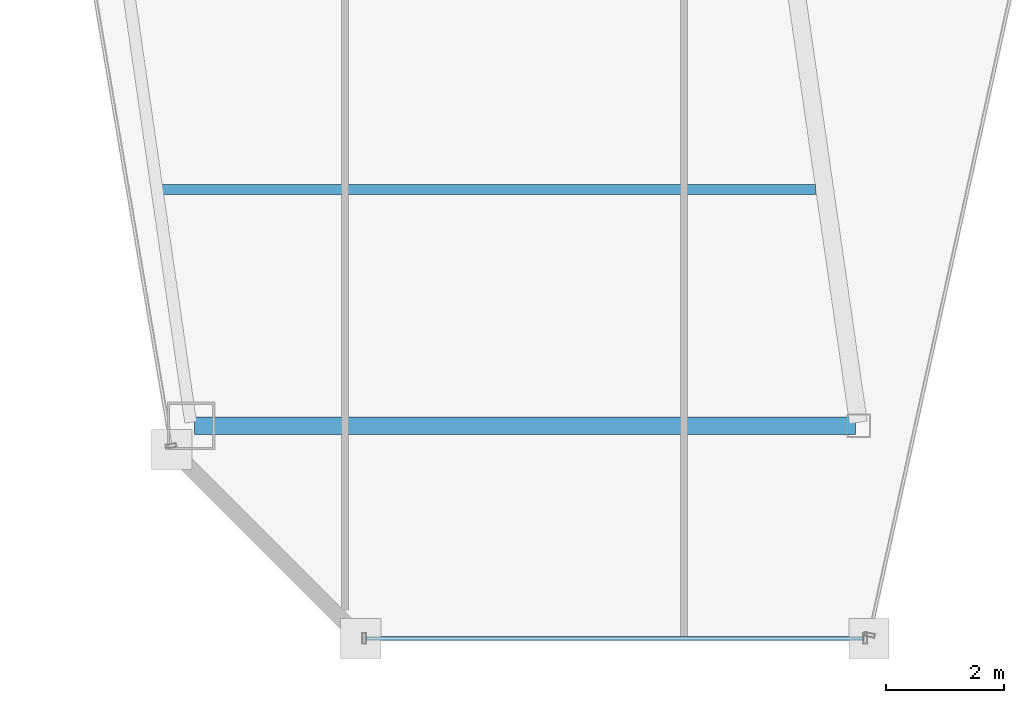
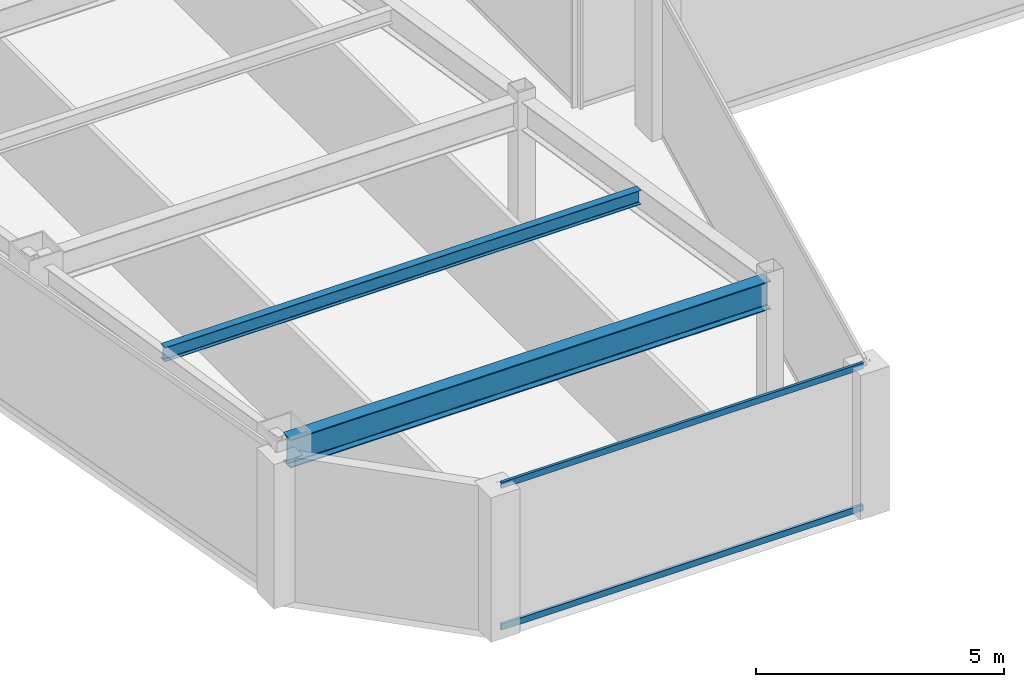
# One storey, part 4 of 36: 2 beams, 2 members, 1 element without a shape of its own.
"""IFC4 building model written with IfcOpenShell, lengths in metres."""

from ifc_helpers import new_model, si_unit, direction, frame, origin, origin_2d, place, context, subcontext, project, spatial, hollow_rectangle, i_section, extrude, material, material_profile, profile_set, type_object, element, aggregate, save


model = new_model("IFC4")

# Units and contexts
model_context = context("Model", 3, precision=1e-05, world=origin(), true_north=direction((0.0, 1.0)))
body_context = subcontext(model_context, "Body", "Model", "MODEL_VIEW")
ifc_project = project(units=[si_unit("LENGTHUNIT", "METRE"), si_unit("AREAUNIT", "SQUARE_METRE"), si_unit("VOLUMEUNIT", "CUBIC_METRE"), si_unit("PLANEANGLEUNIT", "RADIAN"), si_unit("MASSUNIT", "GRAM", prefix="KILO")], contexts=[model_context])

# Site, building, storey
site_placement = place(None, origin())
site = spatial("IfcSite", under=ifc_project, at=site_placement, CompositionType="ELEMENT")
building_placement = place(site_placement, origin())
building = spatial("IfcBuilding", under=site, at=building_placement, Name="Saevonmaru Cultural Tower", CompositionType="ELEMENT")
storey_placement = place(building_placement, frame((0.0, 0.0, 182.800048828125)))
storey = spatial("IfcBuildingStorey", under=building, at=storey_placement, Name="L41", CompositionType="ELEMENT", Elevation=182.800048828125)

# Beams
ifc_material_1 = material(Name="Steel SM355", Category="steel")
ifc_material_profile_1 = material_profile(ifc_material_1, i_section(OverallWidth=0.300048828125, OverallDepth=0.699951171875, WebThickness=0.012939453125, FlangeThickness=0.02392578125, FilletRadius=0.02587890625, at=origin_2d()), Name="H-700x300x13x24")
ifc_profile_set_1 = profile_set([ifc_material_profile_1], Name="Steel SM355")
beam_type_1 = type_object("IfcBeamType", Name="BM-G-H700", PredefinedType="BEAM", material=ifc_profile_set_1)
beam_1_placement = place(storey_placement, frame((10.68798828125, 16.0, 3.199951171875), z_axis=(1.0, 0.0, 0.0), x_axis=(0.0, 1.0, 0.0)))
element("IfcBeam", 1, at=beam_1_placement, inside=storey, type_object=beam_type_1, Name="L41 West Wing Transverse Girder 1", PredefinedType="BEAM", context=body_context, shape_type="SweptSolid", body=[
    extrude(i_section(OverallWidth=0.300048828125, OverallDepth=0.699951171875, WebThickness=0.012939453125, FlangeThickness=0.02392578125, FilletRadius=0.02587890625, at=origin_2d()), origin(), (0.0, 0.0, 1.0), 11.179931640625),
])
ifc_material_profile_2 = material_profile(ifc_material_1, i_section(OverallWidth=0.175048828125, OverallDepth=0.35009765625, WebThickness=0.007080078125, FlangeThickness=0.010986328125, FilletRadius=0.012939453125, at=origin_2d()), Name="H-350x175x7x11")
ifc_profile_set_2 = profile_set([ifc_material_profile_2], Name="Steel SM355")
beam_type_2 = type_object("IfcBeamType", Name="BM-J-H350", PredefinedType="JOIST", material=ifc_profile_set_2)
beam_2_placement = place(storey_placement, frame((10.110107421875, 20.0, 3.375), z_axis=(1.0, 0.0, 0.0), x_axis=(0.0, 1.0, 0.0)))
element("IfcBeam", 2, at=beam_2_placement, inside=storey, type_object=beam_type_2, Name="L41 West Wing Floor Joist 1", PredefinedType="JOIST", context=body_context, shape_type="SweptSolid", body=[
    extrude(i_section(OverallWidth=0.175048828125, OverallDepth=0.35009765625, WebThickness=0.007080078125, FlangeThickness=0.010986328125, FilletRadius=0.012939453125, at=origin_2d()), origin(), (0.0, 0.0, 1.0), 11.081787109375),
])

# Curtain wall, members
ifc_material_2 = material(Name="Satin Bronze Anodised Aluminium", Category="aluminium")
curtain_wall_type = type_object("IfcCurtainWallType", Name="CW-TYP-B", PredefinedType="NOTDEFINED", material=ifc_material_2)
curtain_wall_placement = place(storey_placement, origin())
curtain_wall = element("IfcCurtainWall", 3, at=curtain_wall_placement, inside=storey, type_object=curtain_wall_type, Name="L41 Unitised Curtain Wall E2", PredefinedType="NOTDEFINED")
ifc_material_profile_3 = material_profile(ifc_material_2, hollow_rectangle(XDim=0.06494140625, YDim=0.14990234375, WallThickness=0.00390625, at=origin_2d()), Name="ALU-TRAN-150x65x4")
ifc_profile_set_3 = profile_set([ifc_material_profile_3], Name="Satin Bronze Anodised Aluminium")
member_type = type_object("IfcMemberType", Name="TR-CW-150x65", PredefinedType="USERDEFINED", material=ifc_profile_set_3)
member_1_placement = place(storey_placement, frame((13.59033203125, 12.39990234375, 0.032470703125), z_axis=(1.0, 0.0, 0.0), x_axis=(0.0, 1.0, 0.0)))
member_1 = element("IfcMember", 4, at=member_1_placement, type_object=member_type, Name="CW-TW-L41-E2 transom 1.1", ObjectType="TRANSOM", PredefinedType="USERDEFINED", context=body_context, shape_type="SweptSolid", body=[
    extrude(hollow_rectangle(XDim=0.06494140625, YDim=0.14990234375, WallThickness=0.00390625, at=origin_2d()), origin(), (0.0, 0.0, 1.0), 8.4150390625),
])
member_2_placement = place(storey_placement, frame((13.59033203125, 12.39990234375, 3.517333984375), z_axis=(1.0, 0.0, 0.0), x_axis=(0.0, 1.0, 0.0)))
member_2 = element("IfcMember", 5, at=member_2_placement, type_object=member_type, Name="CW-TW-L41-E2 transom 1.2", ObjectType="TRANSOM", PredefinedType="USERDEFINED", context=body_context, shape_type="SweptSolid", body=[
    extrude(hollow_rectangle(XDim=0.06494140625, YDim=0.14990234375, WallThickness=0.00390625, at=origin_2d()), origin(), (0.0, 0.0, 1.0), 8.4150390625),
])
aggregate(curtain_wall, [member_1, member_2])

save(model, "model.ifc")
